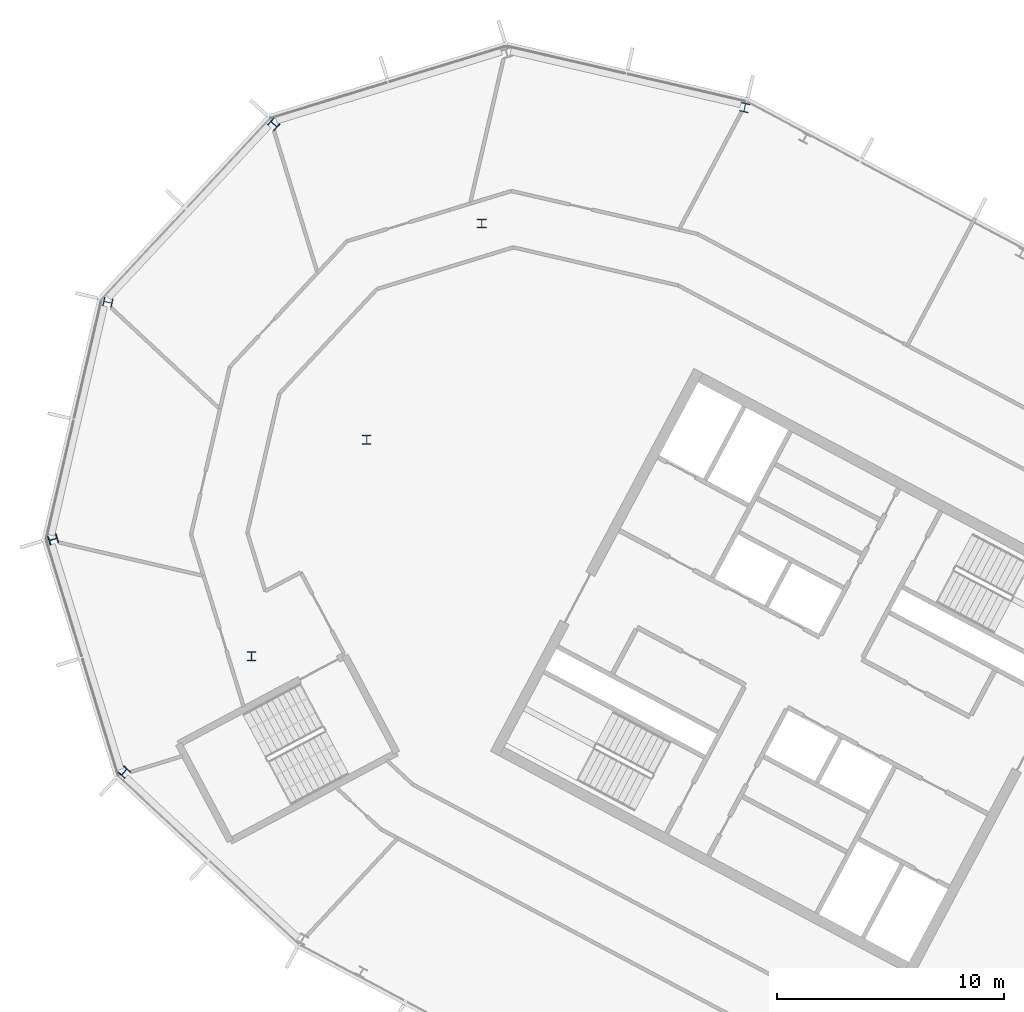
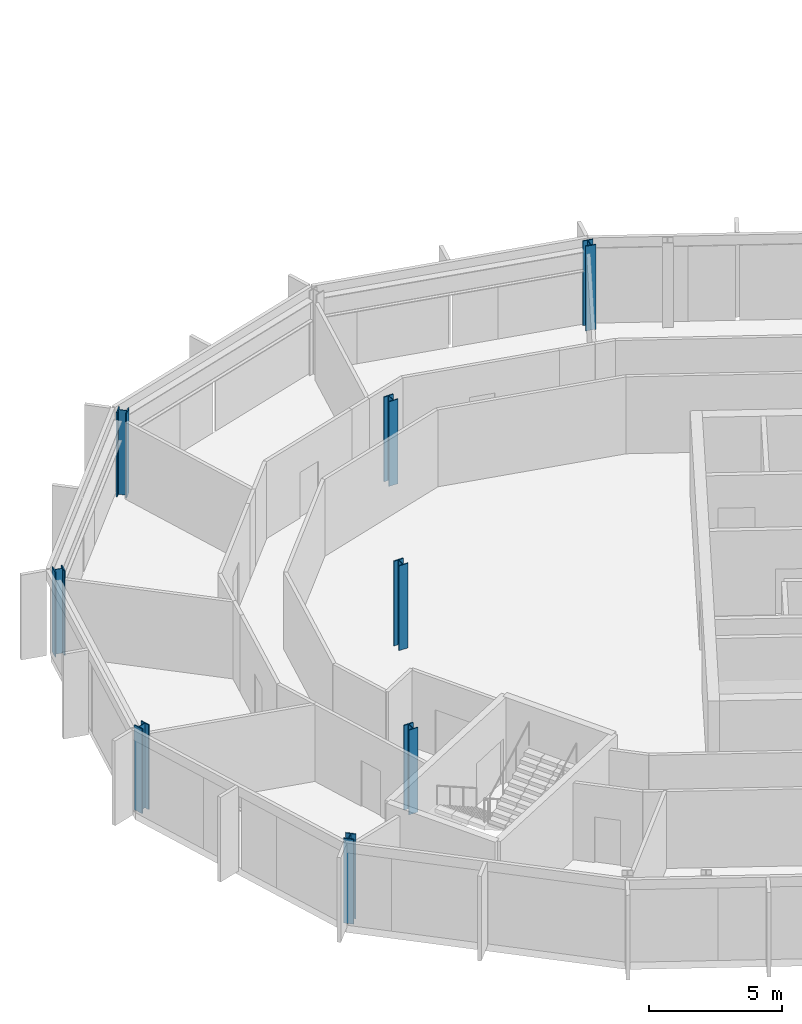
# One storey, part 3 of 26: 8 columns.
"""IFC4 building model written with IfcOpenShell, lengths in metres."""

from ifc_helpers import new_model, si_unit, direction, frame, origin, origin_2d, place, context, subcontext, project, spatial, i_section, extrude, material, material_profile, profile_set, type_object, element, save


model = new_model("IFC4")

# Units and contexts
model_context = context("Model", 3, precision=1e-05, world=origin(), true_north=direction((0.0, 1.0)))
body_context = subcontext(model_context, "Body", "Model", "MODEL_VIEW")
ifc_project = project(units=[si_unit("LENGTHUNIT", "METRE"), si_unit("AREAUNIT", "SQUARE_METRE"), si_unit("VOLUMEUNIT", "CUBIC_METRE"), si_unit("PLANEANGLEUNIT", "RADIAN"), si_unit("MASSUNIT", "GRAM", prefix="KILO")], contexts=[model_context])

# Site, building, storey
site_placement = place(None, origin())
site = spatial("IfcSite", under=ifc_project, at=site_placement, CompositionType="ELEMENT")
building_placement = place(site_placement, origin())
building = spatial("IfcBuilding", under=site, at=building_placement, Name="Cormorant Relay Tower", CompositionType="ELEMENT")
storey_placement = place(building_placement, frame((0.0, 0.0, 285.300048828125)))
storey = spatial("IfcBuildingStorey", under=building, at=storey_placement, Name="L64", CompositionType="ELEMENT", Elevation=285.300048828125)

# Columns
ifc_material = material(Name="Steel ASTM A992 (Fy 345 MPa)", Category="steel")
ifc_material_profile = material_profile(ifc_material, i_section(OverallWidth=0.40380859375, OverallDepth=0.406494140625, WebThickness=0.027099609375, FlangeThickness=0.043701171875, FilletRadius=0.01513671875, at=origin_2d()), Name="W360x347")
ifc_profile_set = profile_set([ifc_material_profile], Name="Steel ASTM A992 (Fy 345 MPa)")
column_type = type_object("IfcColumnType", Name="Column W360x347", PredefinedType="COLUMN", material=ifc_profile_set)
for number, where, z_axis, x_axis, name in (
    (1, (-57.2958984375, 10.152099609375, 0.0), (0.0, 0.0, 1.0), (0.731353701619, -0.681998360062, 0.0), "Column L64-022"),
    (2, (-51.68994140625, 15.251953125, 0.0), (0.0, 0.0, 1.0), (1.0, 0.0, 0.0), "Column L64-026"),
    (3, (-60.429931640625, 20.403076171875, 0.0), (0.0, 0.0, 1.0), (0.292371704723, -0.956304755963, 0.0), "Column L64-028"),
    (4, (-46.6201171875, 24.7880859375, 0.0), (0.0, 0.0, 1.0), (1.0, 0.0, 0.0), "Column L64-030"),
    (5, (-58.01806640625, 30.84912109375, 0.0), (0.0, 0.0, 1.0), (-0.224951054344, -0.974370064785, 0.0), "Column L64-034"),
    (6, (-41.549072265625, 34.323974609375, 0.0), (0.0, 0.0, 1.0), (1.0, 0.0, 0.0), "Column L64-037"),
    (7, (-50.70703125, 38.68896484375, 0.0), (0.0, 0.0, 1.0), (-0.681998360062, -0.731353701619, 0.0), "Column L64-041"),
    (8, (-29.965087890625, 39.425048828125, 0.0), (0.0, 0.0, 1.0), (-0.974370064785, 0.224951054344, 0.0), "Column L64-042"),
):
    element("IfcColumn", number, at=place(storey_placement, frame(where, z_axis=z_axis, x_axis=x_axis)), inside=storey, type_object=column_type, Name=name, PredefinedType="COLUMN", context=body_context, shape_type="SweptSolid", body=[
        extrude(i_section(OverallWidth=0.40380859375, OverallDepth=0.406494140625, WebThickness=0.027099609375, FlangeThickness=0.043701171875, FilletRadius=0.01513671875, at=origin_2d()), origin(), (0.0, 0.0, 1.0), 3.89990234375),
    ])

save(model, "model.ifc")
